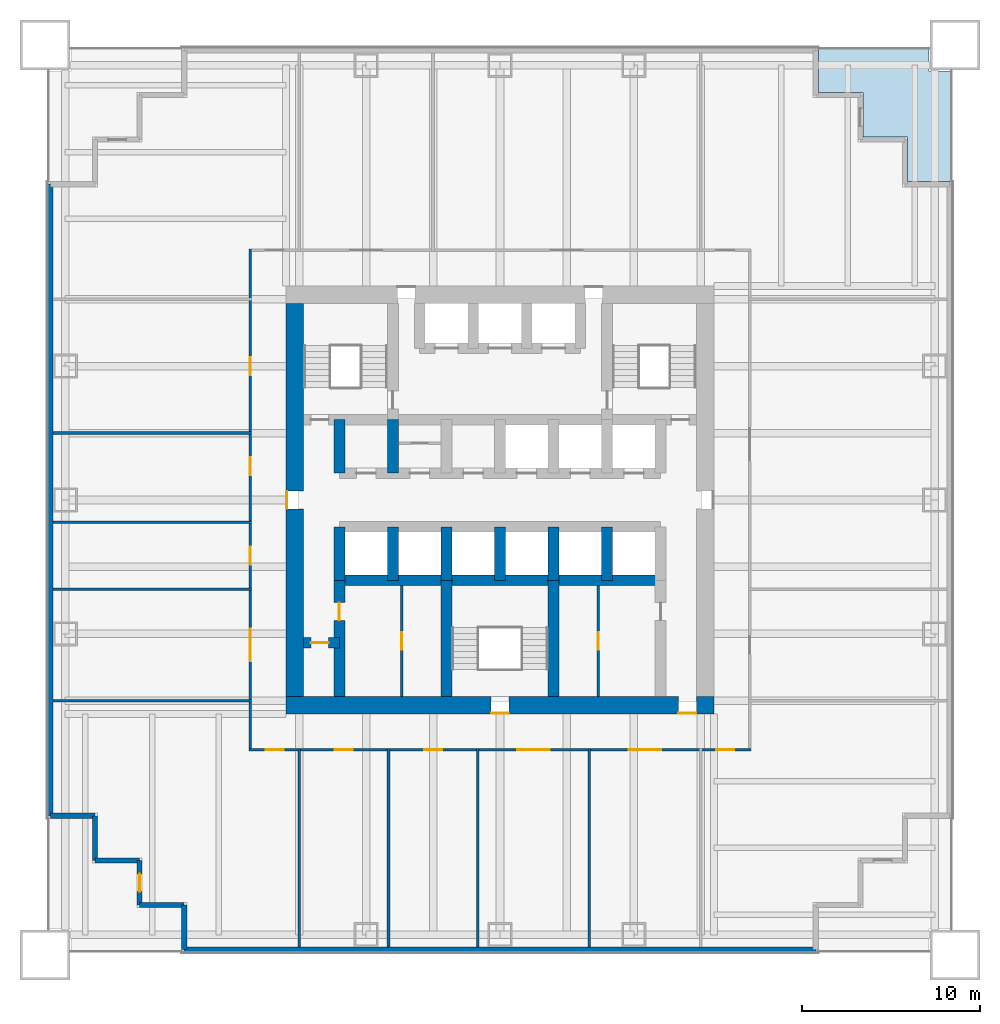
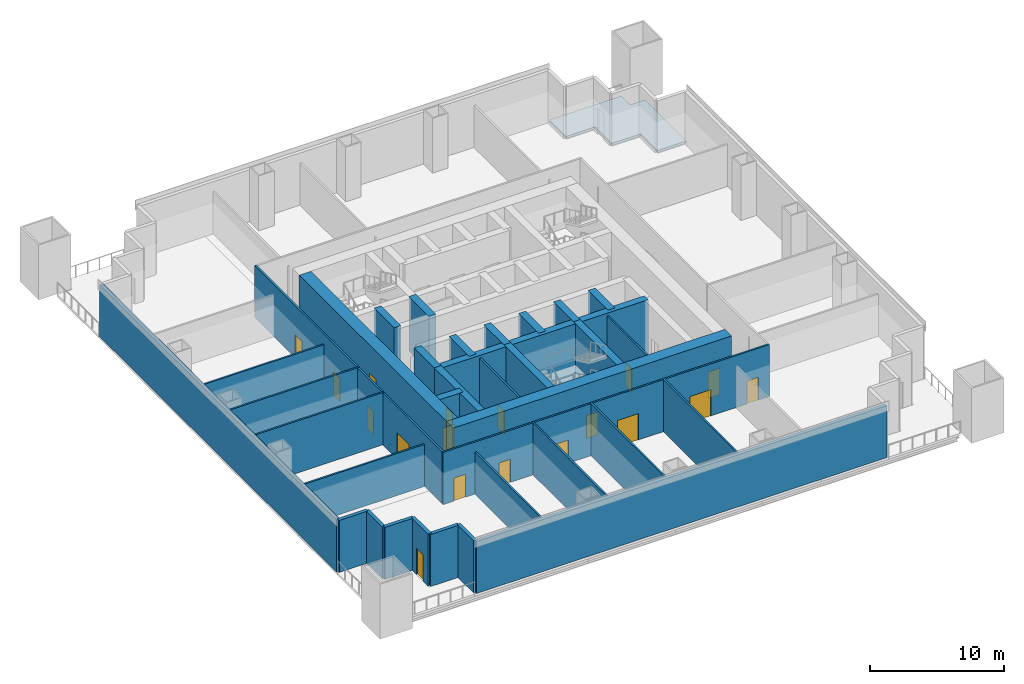
# One storey, part 2 of 6: 35 walls, 18 doors, 1 slab, 18 openings.
"""IFC4 building model written with IfcOpenShell, lengths in metres."""

from ifc_helpers import new_model, si_unit, direction, frame, frame_2d, origin, place, context, subcontext, project, spatial, polyline, rectangle, outline, extrude, material, layer, layer_set, type_object, element, fill, save


model = new_model("IFC4")

# Units and contexts
model_context = context("Model", 3, precision=1e-05, world=origin(), true_north=direction((0.0, 1.0)))
body_context = subcontext(model_context, "Body", "Model", "MODEL_VIEW")
ifc_project = project(units=[si_unit("LENGTHUNIT", "METRE"), si_unit("AREAUNIT", "SQUARE_METRE"), si_unit("VOLUMEUNIT", "CUBIC_METRE"), si_unit("PLANEANGLEUNIT", "RADIAN"), si_unit("MASSUNIT", "GRAM", prefix="KILO")], contexts=[model_context])

# Site, building, storey
site_placement = place(None, origin())
site = spatial("IfcSite", under=ifc_project, at=site_placement, CompositionType="ELEMENT")
building_placement = place(site_placement, origin())
building = spatial("IfcBuilding", under=site, at=building_placement, Name="Tarangal Relay Tower", CompositionType="ELEMENT")
storey_placement = place(building_placement, frame((0.0, 0.0, 93.39990234375)))
storey = spatial("IfcBuildingStorey", under=building, at=storey_placement, Name="L18", CompositionType="ELEMENT", Elevation=93.39990234375)

# Slab
ifc_material_1 = material(Name="Concrete fc' 35 MPa", Category="concrete")
ifc_layer_1 = layer(ifc_material_1, 0.199951171875)
ifc_layer_set_1 = layer_set([ifc_layer_1], Name="Terrace slab 200")
slab_type = type_object("IfcSlabType", Name="Terrace slab 200", PredefinedType="FLOOR", material=ifc_layer_set_1)
slab_placement = place(storey_placement, frame((0.0, 0.0, -0.199951171875)))
element("IfcSlab", 1, at=slab_placement, inside=storey, type_object=slab_type, Name="Corner terrace NE L18", PredefinedType="FLOOR", context=body_context, shape_type="SweptSolid", body=[
    extrude(outline(polyline([(17.85009765625, 25.35009765625), (17.85009765625, 22.85009765625), (20.35009765625, 22.85009765625), (20.35009765625, 20.35009765625), (22.85009765625, 20.35009765625), (22.85009765625, 17.85009765625), (25.35009765625, 17.85009765625), (25.35009765625, 24.050048828125), (24.050048828125, 24.050048828125), (24.050048828125, 25.35009765625), (17.85009765625, 25.35009765625)])), origin(), (0.0, 0.0, 1.0), 0.199951171875),
])

# Wall
ifc_material_2 = material(Name="Concrete fc' 60 MPa", Category="concrete")
ifc_layer_2 = layer(ifc_material_2, 0.60009765625)
ifc_layer_set_2 = layer_set([ifc_layer_2], Name="Core inner wall 600")
wall_type_1 = type_object("IfcWallType", Name="Core inner wall 600", PredefinedType="SHEAR", material=ifc_layer_set_2)
wall_1_placement = place(storey_placement, frame((-9.0, -4.5, 0.0), z_axis=(0.0, 0.0, 1.0), x_axis=(1.0, 0.0, 0.0)))
element("IfcWall", 2, at=wall_1_placement, inside=storey, type_object=wall_type_1, Name="Core wall YM45 L18", PredefinedType="SHEAR", context=body_context, shape_type="SweptSolid", body=[
    extrude(rectangle(XDim=18.0, YDim=0.60009765625, at=frame_2d((9.0, 0.0))), origin(), (0.0, 0.0, 1.0), 5.0),
])

# Wall, opening, door
wall_2_placement = place(storey_placement, frame((-11.0, -8.0, 0.0), z_axis=(0.0, 0.0, 1.0), x_axis=(1.0, 0.0, 0.0)))
wall_2 = element("IfcWall", 3, at=wall_2_placement, inside=storey, type_object=wall_type_1, Name="Core wall YM8 L18", PredefinedType="SHEAR", context=body_context, shape_type="SweptSolid", body=[
    extrude(rectangle(XDim=2.0, YDim=0.60009765625, at=frame_2d((1.0, 0.0))), origin(), (0.0, 0.0, 1.0), 5.0),
])
opening_1_placement = place(wall_2_placement, frame((0.39990234375, 0.0, 0.0)))
opening_1 = element("IfcOpeningElement", 4, at=opening_1_placement, cuts=wall_2, Name="Opening D1", PredefinedType="OPENING", context=body_context, shape_type="SweptSolid", body=[
    extrude(rectangle(XDim=1.0, YDim=2.10009765625, at=frame_2d((0.5, 1.050048828125))), frame((0.0, 0.31005859375, 0.0), z_axis=(0.0, -1.0, 0.0), x_axis=(1.0, 0.0, 0.0)), (0.0, 0.0, 1.0), 0.6201171875),
])
ifc_material_3 = material(Name="Hardwood door", Category="wood")
door_type_1 = type_object("IfcDoorType", Name="WC door 1000 x 2100", OperationType="SINGLE_SWING_LEFT", PredefinedType="DOOR", material=ifc_material_3)
door_1_placement = place(opening_1_placement, origin())
door_1 = element("IfcDoor", 5, at=door_1_placement, inside=storey, type_object=door_type_1, Name="Accessible WC door L18", OperationType="SINGLE_SWING_LEFT", OverallHeight=2.10009765625, OverallWidth=1.0, PredefinedType="DOOR", context=body_context, shape_type="SweptSolid", body=[
    extrude(rectangle(XDim=1.0, YDim=2.10009765625, at=frame_2d((0.5, 1.050048828125))), frame((0.0, 0.02490234375, 0.0), z_axis=(0.0, -1.0, 0.0), x_axis=(1.0, 0.0, 0.0)), (0.0, 0.0, 1.0), 0.050048828125),
])
fill(opening_1, door_1)

# Walls
for number, where, z_axis, x_axis, name in (
    (6, (-9.0, 1.5, 0.0), (0.0, 0.0, 1.0), (0.0, 1.0, 0.0), "Core wall XM9N L18"),
    (7, (-9.0, -4.5, 0.0), (0.0, 0.0, 1.0), (0.0, 1.0, 0.0), "Core wall XM9S L18"),
    (8, (-6.0, 1.5, 0.0), (0.0, 0.0, 1.0), (0.0, 1.0, 0.0), "Core wall XM6N L18"),
    (9, (-6.0, -4.5, 0.0), (0.0, 0.0, 1.0), (0.0, 1.0, 0.0), "Core wall XM6S L18"),
    (10, (-3.0, -4.5, 0.0), (0.0, 0.0, 1.0), (0.0, 1.0, 0.0), "Core wall XM3S L18"),
    (11, (0.0, -4.5, 0.0), (0.0, 0.0, 1.0), (0.0, 1.0, 0.0), "Core wall X0S L18"),
    (12, (3.0, -4.5, 0.0), (0.0, 0.0, 1.0), (0.0, 1.0, 0.0), "Core wall X3S L18"),
    (13, (6.0, -4.5, 0.0), (0.0, 0.0, 1.0), (0.0, 1.0, 0.0), "Core wall X6S L18"),
):
    element("IfcWall", number, at=place(storey_placement, frame(where, z_axis=z_axis, x_axis=x_axis)), inside=storey, type_object=wall_type_1, Name=name, PredefinedType="SHEAR", context=body_context, shape_type="SweptSolid", body=[
        extrude(rectangle(XDim=3.0, YDim=0.60009765625, at=frame_2d((1.5, 0.0))), origin(), (0.0, 0.0, 1.0), 5.0),
    ])

# Wall, opening, door
wall_3_placement = place(storey_placement, frame((-9.0, -11.0, 0.0), z_axis=(0.0, 0.0, 1.0), x_axis=(0.0, 1.0, 0.0)))
wall_3 = element("IfcWall", 14, at=wall_3_placement, inside=storey, type_object=wall_type_1, Name="Core wall XM9W L18", PredefinedType="SHEAR", context=body_context, shape_type="SweptSolid", body=[
    extrude(rectangle(XDim=6.5, YDim=0.60009765625, at=frame_2d((3.25, 0.0))), origin(), (0.0, 0.0, 1.0), 5.0),
])
opening_2_placement = place(wall_3_placement, frame((4.25, 0.0, 0.0)))
opening_2 = element("IfcOpeningElement", 15, at=opening_2_placement, cuts=wall_3, Name="Opening D1", PredefinedType="OPENING", context=body_context, shape_type="SweptSolid", body=[
    extrude(rectangle(XDim=1.0, YDim=2.10009765625, at=frame_2d((0.5, 1.050048828125))), frame((0.0, 0.31005859375, 0.0), z_axis=(0.0, -1.0, 0.0), x_axis=(1.0, 0.0, 0.0)), (0.0, 0.0, 1.0), 0.6201171875),
])
door_2_placement = place(opening_2_placement, origin())
door_2 = element("IfcDoor", 16, at=door_2_placement, inside=storey, type_object=door_type_1, Name="Male WC door L18", OperationType="SINGLE_SWING_LEFT", OverallHeight=2.10009765625, OverallWidth=1.0, PredefinedType="DOOR", context=body_context, shape_type="SweptSolid", body=[
    extrude(rectangle(XDim=1.0, YDim=2.10009765625, at=frame_2d((0.5, 1.050048828125))), frame((0.0, 0.02490234375, 0.0), z_axis=(0.0, -1.0, 0.0), x_axis=(1.0, 0.0, 0.0)), (0.0, 0.0, 1.0), 0.050048828125),
])
fill(opening_2, door_2)

# Walls
for number, where, z_axis, x_axis, name in (
    (17, (-3.0, -11.0, 0.0), (0.0, 0.0, 1.0), (0.0, 1.0, 0.0), "Core wall XM3W L18"),
    (18, (3.0, -11.0, 0.0), (0.0, 0.0, 1.0), (0.0, 1.0, 0.0), "Core wall X3W L18"),
):
    element("IfcWall", number, at=place(storey_placement, frame(where, z_axis=z_axis, x_axis=x_axis)), inside=storey, type_object=wall_type_1, Name=name, PredefinedType="SHEAR", context=body_context, shape_type="SweptSolid", body=[
        extrude(rectangle(XDim=6.5, YDim=0.60009765625, at=frame_2d((3.25, 0.0))), origin(), (0.0, 0.0, 1.0), 5.0),
    ])

# Wall, openings, doors
ifc_layer_3 = layer(ifc_material_2, 1.0)
ifc_layer_set_3 = layer_set([ifc_layer_3], Name="Core wall 1000")
wall_type_2 = type_object("IfcWallType", Name="Core wall 1000", PredefinedType="SHEAR", material=ifc_layer_set_3)
wall_4_placement = place(storey_placement, frame((12.0, -11.5, 0.0), z_axis=(0.0, 0.0, 1.0), x_axis=(-1.0, 0.0, 0.0)))
wall_4 = element("IfcWall", 19, at=wall_4_placement, inside=storey, type_object=wall_type_2, Name="Core wall S L18", PredefinedType="SHEAR", context=body_context, shape_type="SweptSolid", body=[
    extrude(rectangle(XDim=24.0, YDim=1.0, at=frame_2d((12.0, 0.0))), origin(), (0.0, 0.0, 1.0), 5.0),
])
opening_3_placement = place(wall_4_placement, frame((11.5, 0.0, 0.0)))
opening_3 = element("IfcOpeningElement", 20, at=opening_3_placement, cuts=wall_4, Name="Opening FD1", PredefinedType="OPENING", context=body_context, shape_type="SweptSolid", body=[
    extrude(rectangle(XDim=1.0, YDim=2.10009765625, at=frame_2d((0.5, 1.050048828125))), frame((0.0, 0.510009765625, 0.0), z_axis=(0.0, -1.0, 0.0), x_axis=(1.0, 0.0, 0.0)), (0.0, 0.0, 1.0), 1.02001953125),
])
opening_4_placement = place(wall_4_placement, frame((1.0, 0.0, 0.0)))
opening_4 = element("IfcOpeningElement", 21, at=opening_4_placement, cuts=wall_4, Name="Opening FD3", PredefinedType="OPENING", context=body_context, shape_type="SweptSolid", body=[
    extrude(rectangle(XDim=1.0, YDim=2.39990234375, at=frame_2d((0.5, 1.199951171875))), frame((0.0, 0.510009765625, 0.0), z_axis=(0.0, -1.0, 0.0), x_axis=(1.0, 0.0, 0.0)), (0.0, 0.0, 1.0), 1.02001953125),
])
ifc_material_4 = material(Name="Steel door with hardwood frame", Category="steel")
door_type_2 = type_object("IfcDoorType", Name="Fire door 1000 x 2100", OperationType="SINGLE_SWING_LEFT", PredefinedType="DOOR", material=ifc_material_4)
door_3_placement = place(opening_3_placement, origin())
door_3 = element("IfcDoor", 22, at=door_3_placement, inside=storey, type_object=door_type_2, Name="Stair ST-C door L18", OperationType="SINGLE_SWING_LEFT", OverallHeight=2.10009765625, OverallWidth=1.0, PredefinedType="DOOR", context=body_context, shape_type="SweptSolid", body=[
    extrude(rectangle(XDim=1.0, YDim=2.10009765625, at=frame_2d((0.5, 1.050048828125))), frame((0.0, 0.48486328125, 0.0), z_axis=(0.0, -1.0, 0.0), x_axis=(1.0, 0.0, 0.0)), (0.0, 0.0, 1.0), 0.050048828125),
])
fill(opening_3, door_3)
door_type_3 = type_object("IfcDoorType", Name="Fire door 1000 x 2400 core entry", OperationType="SINGLE_SWING_RIGHT", PredefinedType="DOOR", material=ifc_material_4)
door_4_placement = place(opening_4_placement, origin())
door_4 = element("IfcDoor", 23, at=door_4_placement, inside=storey, type_object=door_type_3, Name="Core entry door south east L18", OperationType="SINGLE_SWING_RIGHT", OverallHeight=2.39990234375, OverallWidth=1.0, PredefinedType="DOOR", context=body_context, shape_type="SweptSolid", body=[
    extrude(rectangle(XDim=1.0, YDim=2.39990234375, at=frame_2d((0.5, 1.199951171875))), frame((0.0, 0.48486328125, 0.0), z_axis=(0.0, -1.0, 0.0), x_axis=(1.0, 0.0, 0.0)), (0.0, 0.0, 1.0), 0.050048828125),
])
fill(opening_4, door_4)

# Wall, opening, door
wall_5_placement = place(storey_placement, frame((-11.5, -11.0, 0.0), z_axis=(0.0, 0.0, 1.0), x_axis=(0.0, 1.0, 0.0)))
wall_5 = element("IfcWall", 24, at=wall_5_placement, inside=storey, type_object=wall_type_2, Name="Core wall W L18", PredefinedType="SHEAR", context=body_context, shape_type="SweptSolid", body=[
    extrude(rectangle(XDim=22.0, YDim=1.0, at=frame_2d((11.0, 0.0))), origin(), (0.0, 0.0, 1.0), 5.0),
])
opening_5_placement = place(wall_5_placement, frame((10.5, 0.0, 0.0)))
opening_5 = element("IfcOpeningElement", 25, at=opening_5_placement, cuts=wall_5, Name="Opening FD3", PredefinedType="OPENING", context=body_context, shape_type="SweptSolid", body=[
    extrude(rectangle(XDim=1.0, YDim=2.39990234375, at=frame_2d((0.5, 1.199951171875))), frame((0.0, 0.510009765625, 0.0), z_axis=(0.0, -1.0, 0.0), x_axis=(1.0, 0.0, 0.0)), (0.0, 0.0, 1.0), 1.02001953125),
])
door_5_placement = place(opening_5_placement, origin())
door_5 = element("IfcDoor", 26, at=door_5_placement, inside=storey, type_object=door_type_3, Name="Core entry door west L18", OperationType="SINGLE_SWING_RIGHT", OverallHeight=2.39990234375, OverallWidth=1.0, PredefinedType="DOOR", context=body_context, shape_type="SweptSolid", body=[
    extrude(rectangle(XDim=1.0, YDim=2.39990234375, at=frame_2d((0.5, 1.199951171875))), frame((0.0, 0.48486328125, 0.0), z_axis=(0.0, -1.0, 0.0), x_axis=(1.0, 0.0, 0.0)), (0.0, 0.0, 1.0), 0.050048828125),
])
fill(opening_5, door_5)

# Walls
ifc_material_5 = material(Name="Insulated precast concrete fc' 40 MPa", Category="concrete")
ifc_layer_4 = layer(ifc_material_5, 0.300048828125)
ifc_layer_set_4 = layer_set([ifc_layer_4], Name="Insulated precast concrete fc' 40 MPa")
wall_type_3 = type_object("IfcWallType", Name="Facade wall precast 300", PredefinedType="SOLIDWALL", material=ifc_layer_set_4)
wall_6_placement = place(storey_placement, frame((17.699951171875, -25.199951171875, 0.0), z_axis=(0.0, 0.0, 1.0), x_axis=(-1.0, 0.0, 0.0)))
element("IfcWall", 27, at=wall_6_placement, inside=storey, type_object=wall_type_3, Name="Facade wall S facade L18", PredefinedType="SOLIDWALL", context=body_context, shape_type="SweptSolid", body=[
    extrude(rectangle(XDim=35.39990234375, YDim=0.300048828125, at=frame_2d((17.699951171875, 0.0))), origin(), (0.0, 0.0, 1.0), 4.75),
])
for number, where, z_axis, x_axis, name in (
    (28, (-17.699951171875, -25.199951171875, 0.0), (0.0, 0.0, 1.0), (0.0, 1.0, 0.0), "Facade wall S facade L18"),
    (29, (-17.699951171875, -22.699951171875, 0.0), (0.0, 0.0, 1.0), (-1.0, 0.0, 0.0), "Facade wall S facade L18"),
):
    element("IfcWall", number, at=place(storey_placement, frame(where, z_axis=z_axis, x_axis=x_axis)), inside=storey, type_object=wall_type_3, Name=name, PredefinedType="SOLIDWALL", context=body_context, shape_type="SweptSolid", body=[
        extrude(rectangle(XDim=2.5, YDim=0.300048828125, at=frame_2d((1.25, 0.0))), origin(), (0.0, 0.0, 1.0), 4.75),
    ])

# Wall, opening, door
wall_7_placement = place(storey_placement, frame((-20.199951171875, -22.699951171875, 0.0), z_axis=(0.0, 0.0, 1.0), x_axis=(0.0, 1.0, 0.0)))
wall_7 = element("IfcWall", 30, at=wall_7_placement, inside=storey, type_object=wall_type_3, Name="Facade wall S facade L18", PredefinedType="SOLIDWALL", context=body_context, shape_type="SweptSolid", body=[
    extrude(rectangle(XDim=2.5, YDim=0.300048828125, at=frame_2d((1.25, 0.0))), origin(), (0.0, 0.0, 1.0), 4.75),
])
opening_6_placement = place(wall_7_placement, frame((0.75, 0.0, 0.0)))
opening_6 = element("IfcOpeningElement", 31, at=opening_6_placement, cuts=wall_7, Name="Opening TD1", PredefinedType="OPENING", context=body_context, shape_type="SweptSolid", body=[
    extrude(rectangle(XDim=1.0, YDim=2.39990234375, at=frame_2d((0.5, 1.199951171875))), frame((0.0, 0.159912109375, 0.0), z_axis=(0.0, -1.0, 0.0), x_axis=(1.0, 0.0, 0.0)), (0.0, 0.0, 1.0), 0.320068359375),
])
ifc_material_6 = material(Name="Aluminium glazed door", Category="aluminium")
door_type_4 = type_object("IfcDoorType", Name="Terrace door 1000 x 2400", OperationType="SINGLE_SWING_RIGHT", PredefinedType="DOOR", material=ifc_material_6)
door_6_placement = place(opening_6_placement, origin())
door_6 = element("IfcDoor", 32, at=door_6_placement, inside=storey, type_object=door_type_4, Name="Terrace door TD1 SW L18", OperationType="SINGLE_SWING_RIGHT", OverallHeight=2.39990234375, OverallWidth=1.0, PredefinedType="DOOR", context=body_context, shape_type="SweptSolid", body=[
    extrude(rectangle(XDim=1.0, YDim=2.39990234375, at=frame_2d((0.5, 1.199951171875))), frame((0.0, 0.02490234375, 0.0), z_axis=(0.0, -1.0, 0.0), x_axis=(1.0, 0.0, 0.0)), (0.0, 0.0, 1.0), 0.050048828125),
])
fill(opening_6, door_6)

# Walls
for number, where, z_axis, x_axis, name in (
    (33, (-20.199951171875, -20.199951171875, 0.0), (0.0, 0.0, 1.0), (-1.0, 0.0, 0.0), "Facade wall S facade L18"),
    (34, (-22.699951171875, -20.199951171875, 0.0), (0.0, 0.0, 1.0), (0.0, 1.0, 0.0), "Facade wall S facade L18"),
    (35, (-22.699951171875, -17.699951171875, 0.0), (0.0, 0.0, 1.0), (-1.0, 0.0, 0.0), "Facade wall S facade L18"),
):
    element("IfcWall", number, at=place(storey_placement, frame(where, z_axis=z_axis, x_axis=x_axis)), inside=storey, type_object=wall_type_3, Name=name, PredefinedType="SOLIDWALL", context=body_context, shape_type="SweptSolid", body=[
        extrude(rectangle(XDim=2.5, YDim=0.300048828125, at=frame_2d((1.25, 0.0))), origin(), (0.0, 0.0, 1.0), 4.75),
    ])
wall_8_placement = place(storey_placement, frame((-25.199951171875, -17.699951171875, 0.0), z_axis=(0.0, 0.0, 1.0), x_axis=(0.0, 1.0, 0.0)))
element("IfcWall", 36, at=wall_8_placement, inside=storey, type_object=wall_type_3, Name="Facade wall W facade L18", PredefinedType="SOLIDWALL", context=body_context, shape_type="SweptSolid", body=[
    extrude(rectangle(XDim=35.39990234375, YDim=0.300048828125, at=frame_2d((17.699951171875, 0.0))), origin(), (0.0, 0.0, 1.0), 4.75),
])

# Wall, openings, doors
ifc_material_7 = material(Name="Gypsum board on steel studs", Category="steel")
ifc_layer_5 = layer(ifc_material_7, 0.14990234375)
ifc_layer_set_5 = layer_set([ifc_layer_5], Name="Partition 150")
wall_type_4 = type_object("IfcWallType", Name="Partition 150", PredefinedType="PARTITIONING", material=ifc_layer_set_5)
wall_9_placement = place(storey_placement, frame((-14.074951171875, -14.0, 0.0), z_axis=(0.0, 0.0, 1.0), x_axis=(1.0, 0.0, 0.0)))
wall_9 = element("IfcWall", 37, at=wall_9_placement, inside=storey, type_object=wall_type_4, Name="Partition PT1 L18", PredefinedType="PARTITIONING", context=body_context, shape_type="SweptSolid", body=[
    extrude(rectangle(XDim=28.14990234375, YDim=0.14990234375, at=frame_2d((14.074951171875, 0.0))), origin(), (0.0, 0.0, 1.0), 4.75),
])
opening_7_placement = place(wall_9_placement, frame((21.300048828125, 0.0, 0.0)))
opening_7 = element("IfcOpeningElement", 38, at=opening_7_placement, cuts=wall_9, Name="Opening DD1", PredefinedType="OPENING", context=body_context, shape_type="SweptSolid", body=[
    extrude(rectangle(XDim=1.800048828125, YDim=2.39990234375, at=frame_2d((0.89990234375, 1.199951171875))), frame((0.0, 0.0849609375, 0.0), z_axis=(0.0, -1.0, 0.0), x_axis=(1.0, 0.0, 0.0)), (0.0, 0.0, 1.0), 0.169921875),
])
opening_8_placement = place(wall_9_placement, frame((15.050048828125, 0.0, 0.0)))
opening_8 = element("IfcOpeningElement", 39, at=opening_8_placement, cuts=wall_9, Name="Opening DD1", PredefinedType="OPENING", context=body_context, shape_type="SweptSolid", body=[
    extrude(rectangle(XDim=1.800048828125, YDim=2.39990234375, at=frame_2d((0.89990234375, 1.199951171875))), frame((0.0, 0.0849609375, 0.0), z_axis=(0.0, -1.0, 0.0), x_axis=(1.0, 0.0, 0.0)), (0.0, 0.0, 1.0), 0.169921875),
])
opening_9_placement = place(wall_9_placement, frame((9.824951171875, 0.0, 0.0)))
opening_9 = element("IfcOpeningElement", 40, at=opening_9_placement, cuts=wall_9, Name="Opening D2", PredefinedType="OPENING", context=body_context, shape_type="SweptSolid", body=[
    extrude(rectangle(XDim=1.0, YDim=2.10009765625, at=frame_2d((0.5, 1.050048828125))), frame((0.0, 0.0849609375, 0.0), z_axis=(0.0, -1.0, 0.0), x_axis=(1.0, 0.0, 0.0)), (0.0, 0.0, 1.0), 0.169921875),
])
opening_10_placement = place(wall_9_placement, frame((4.824951171875, 0.0, 0.0)))
opening_10 = element("IfcOpeningElement", 41, at=opening_10_placement, cuts=wall_9, Name="Opening D2", PredefinedType="OPENING", context=body_context, shape_type="SweptSolid", body=[
    extrude(rectangle(XDim=1.0, YDim=2.10009765625, at=frame_2d((0.5, 1.050048828125))), frame((0.0, 0.0849609375, 0.0), z_axis=(0.0, -1.0, 0.0), x_axis=(1.0, 0.0, 0.0)), (0.0, 0.0, 1.0), 0.169921875),
])
opening_11_placement = place(wall_9_placement, frame((26.199951171875, 0.0, 0.0)))
opening_11 = element("IfcOpeningElement", 42, at=opening_11_placement, cuts=wall_9, Name="Opening D2", PredefinedType="OPENING", context=body_context, shape_type="SweptSolid", body=[
    extrude(rectangle(XDim=1.0, YDim=2.10009765625, at=frame_2d((0.5, 1.050048828125))), frame((0.0, 0.0849609375, 0.0), z_axis=(0.0, -1.0, 0.0), x_axis=(1.0, 0.0, 0.0)), (0.0, 0.0, 1.0), 0.169921875),
])
opening_12_placement = place(wall_9_placement, frame((0.949951171875, 0.0, 0.0)))
opening_12 = element("IfcOpeningElement", 43, at=opening_12_placement, cuts=wall_9, Name="Opening D2", PredefinedType="OPENING", context=body_context, shape_type="SweptSolid", body=[
    extrude(rectangle(XDim=1.0, YDim=2.10009765625, at=frame_2d((0.5, 1.050048828125))), frame((0.0, 0.0849609375, 0.0), z_axis=(0.0, -1.0, 0.0), x_axis=(1.0, 0.0, 0.0)), (0.0, 0.0, 1.0), 0.169921875),
])
door_type_5 = type_object("IfcDoorType", Name="Door 1000 x 2100", OperationType="SINGLE_SWING_LEFT", PredefinedType="DOOR", material=ifc_material_3)
door_7_placement = place(opening_9_placement, origin())
door_7 = element("IfcDoor", 44, at=door_7_placement, inside=storey, type_object=door_type_5, Name="Door D2 to engineering office L18-08", OperationType="SINGLE_SWING_LEFT", OverallHeight=2.10009765625, OverallWidth=1.0, PredefinedType="DOOR", context=body_context, shape_type="SweptSolid", body=[
    extrude(rectangle(XDim=1.0, YDim=2.10009765625, at=frame_2d((0.5, 1.050048828125))), frame((0.0, 0.02490234375, 0.0), z_axis=(0.0, -1.0, 0.0), x_axis=(1.0, 0.0, 0.0)), (0.0, 0.0, 1.0), 0.050048828125),
])
fill(opening_9, door_7)
door_8_placement = place(opening_10_placement, origin())
door_8 = element("IfcDoor", 45, at=door_8_placement, inside=storey, type_object=door_type_5, Name="Door D2 to customer interview room L18-09", OperationType="SINGLE_SWING_LEFT", OverallHeight=2.10009765625, OverallWidth=1.0, PredefinedType="DOOR", context=body_context, shape_type="SweptSolid", body=[
    extrude(rectangle(XDim=1.0, YDim=2.10009765625, at=frame_2d((0.5, 1.050048828125))), frame((0.0, 0.02490234375, 0.0), z_axis=(0.0, -1.0, 0.0), x_axis=(1.0, 0.0, 0.0)), (0.0, 0.0, 1.0), 0.050048828125),
])
fill(opening_10, door_8)
door_9_placement = place(opening_11_placement, origin())
door_9 = element("IfcDoor", 46, at=door_9_placement, inside=storey, type_object=door_type_5, Name="Door D2 to maintenance workshop L18-15", OperationType="SINGLE_SWING_LEFT", OverallHeight=2.10009765625, OverallWidth=1.0, PredefinedType="DOOR", context=body_context, shape_type="SweptSolid", body=[
    extrude(rectangle(XDim=1.0, YDim=2.10009765625, at=frame_2d((0.5, 1.050048828125))), frame((0.0, 0.02490234375, 0.0), z_axis=(0.0, -1.0, 0.0), x_axis=(1.0, 0.0, 0.0)), (0.0, 0.0, 1.0), 0.050048828125),
])
fill(opening_11, door_9)
door_10_placement = place(opening_12_placement, origin())
door_10 = element("IfcDoor", 47, at=door_10_placement, inside=storey, type_object=door_type_5, Name="Door D2 to security office L18-16", OperationType="SINGLE_SWING_LEFT", OverallHeight=2.10009765625, OverallWidth=1.0, PredefinedType="DOOR", context=body_context, shape_type="SweptSolid", body=[
    extrude(rectangle(XDim=1.0, YDim=2.10009765625, at=frame_2d((0.5, 1.050048828125))), frame((0.0, 0.02490234375, 0.0), z_axis=(0.0, -1.0, 0.0), x_axis=(1.0, 0.0, 0.0)), (0.0, 0.0, 1.0), 0.050048828125),
])
fill(opening_12, door_10)
door_type_6 = type_object("IfcDoorType", Name="Equipment double door 1800 x 2400", OperationType="DOUBLE_DOOR_SINGLE_SWING", PredefinedType="DOOR", material=ifc_material_4)
door_11_placement = place(opening_7_placement, origin())
door_11 = element("IfcDoor", 48, at=door_11_placement, inside=storey, type_object=door_type_6, Name="Door DD1 to electrical room L18-06", OperationType="DOUBLE_DOOR_SINGLE_SWING", OverallHeight=2.39990234375, OverallWidth=1.800048828125, PredefinedType="DOOR", context=body_context, shape_type="SweptSolid", body=[
    extrude(rectangle(XDim=1.800048828125, YDim=2.39990234375, at=frame_2d((0.89990234375, 1.199951171875))), frame((0.0, 0.02490234375, 0.0), z_axis=(0.0, -1.0, 0.0), x_axis=(1.0, 0.0, 0.0)), (0.0, 0.0, 1.0), 0.050048828125),
])
fill(opening_7, door_11)
door_12_placement = place(opening_8_placement, origin())
door_12 = element("IfcDoor", 49, at=door_12_placement, inside=storey, type_object=door_type_6, Name="Door DD1 to network equipment room L18-07", OperationType="DOUBLE_DOOR_SINGLE_SWING", OverallHeight=2.39990234375, OverallWidth=1.800048828125, PredefinedType="DOOR", context=body_context, shape_type="SweptSolid", body=[
    extrude(rectangle(XDim=1.800048828125, YDim=2.39990234375, at=frame_2d((0.89990234375, 1.199951171875))), frame((0.0, 0.02490234375, 0.0), z_axis=(0.0, -1.0, 0.0), x_axis=(1.0, 0.0, 0.0)), (0.0, 0.0, 1.0), 0.050048828125),
])
fill(opening_8, door_12)

# Walls
wall_10_placement = place(storey_placement, frame((-25.050048828125, -11.25, 0.0), z_axis=(0.0, 0.0, 1.0), x_axis=(1.0, 0.0, 0.0)))
element("IfcWall", 50, at=wall_10_placement, inside=storey, type_object=wall_type_4, Name="Partition PT1 L18", PredefinedType="PARTITIONING", context=body_context, shape_type="SweptSolid", body=[
    extrude(rectangle(XDim=11.125, YDim=0.14990234375, at=frame_2d((5.5625, 0.0))), origin(), (0.0, 0.0, 1.0), 3.822998046875),
])
for number, where, z_axis, x_axis, name in (
    (51, (-25.050048828125, -5.0, 0.0), (0.0, 0.0, 1.0), (1.0, 0.0, 0.0), "Partition PT1 L18"),
    (52, (-25.050048828125, -1.25, 0.0), (0.0, 0.0, 1.0), (1.0, 0.0, 0.0), "Partition PT1 L18"),
):
    element("IfcWall", number, at=place(storey_placement, frame(where, z_axis=z_axis, x_axis=x_axis)), inside=storey, type_object=wall_type_4, Name=name, PredefinedType="PARTITIONING", context=body_context, shape_type="SweptSolid", body=[
        extrude(rectangle(XDim=11.125, YDim=0.14990234375, at=frame_2d((5.5625, 0.0))), origin(), (0.0, 0.0, 1.0), 4.75),
    ])
wall_11_placement = place(storey_placement, frame((-25.050048828125, 3.75, 0.0), z_axis=(0.0, 0.0, 1.0), x_axis=(1.0, 0.0, 0.0)))
element("IfcWall", 53, at=wall_11_placement, inside=storey, type_object=wall_type_4, Name="Partition PT1 L18", PredefinedType="PARTITIONING", context=body_context, shape_type="SweptSolid", body=[
    extrude(rectangle(XDim=11.125, YDim=0.14990234375, at=frame_2d((5.5625, 0.0))), origin(), (0.0, 0.0, 1.0), 3.822998046875),
])

# Wall, openings, doors
wall_12_placement = place(storey_placement, frame((-14.0, -14.074951171875, 0.0), z_axis=(0.0, 0.0, 1.0), x_axis=(0.0, 1.0, 0.0)))
wall_12 = element("IfcWall", 54, at=wall_12_placement, inside=storey, type_object=wall_type_4, Name="Partition PT1 L18", PredefinedType="PARTITIONING", context=body_context, shape_type="SweptSolid", body=[
    extrude(rectangle(XDim=28.14990234375, YDim=0.14990234375, at=frame_2d((14.074951171875, 0.0))), origin(), (0.0, 0.0, 1.0), 4.75),
])
opening_13_placement = place(wall_12_placement, frame((5.050048828125, 0.0, 0.0)))
opening_13 = element("IfcOpeningElement", 55, at=opening_13_placement, cuts=wall_12, Name="Opening DD1", PredefinedType="OPENING", context=body_context, shape_type="SweptSolid", body=[
    extrude(rectangle(XDim=1.800048828125, YDim=2.39990234375, at=frame_2d((0.89990234375, 1.199951171875))), frame((0.0, 0.0849609375, 0.0), z_axis=(0.0, -1.0, 0.0), x_axis=(1.0, 0.0, 0.0)), (0.0, 0.0, 1.0), 0.169921875),
])
opening_14_placement = place(wall_12_placement, frame((10.449951171875, 0.0, 0.0)))
opening_14 = element("IfcOpeningElement", 56, at=opening_14_placement, cuts=wall_12, Name="Opening D2", PredefinedType="OPENING", context=body_context, shape_type="SweptSolid", body=[
    extrude(rectangle(XDim=1.0, YDim=2.10009765625, at=frame_2d((0.5, 1.050048828125))), frame((0.0, 0.0849609375, 0.0), z_axis=(0.0, -1.0, 0.0), x_axis=(1.0, 0.0, 0.0)), (0.0, 0.0, 1.0), 0.169921875),
])
opening_15_placement = place(wall_12_placement, frame((15.465087890625, 0.0, 0.0)))
opening_15 = element("IfcOpeningElement", 57, at=opening_15_placement, cuts=wall_12, Name="Opening D2", PredefinedType="OPENING", context=body_context, shape_type="SweptSolid", body=[
    extrude(rectangle(XDim=1.0, YDim=2.10009765625, at=frame_2d((0.5, 1.050048828125))), frame((0.0, 0.0849609375, 0.0), z_axis=(0.0, -1.0, 0.0), x_axis=(1.0, 0.0, 0.0)), (0.0, 0.0, 1.0), 0.169921875),
])
opening_16_placement = place(wall_12_placement, frame((21.074951171875, 0.0, 0.0)))
opening_16 = element("IfcOpeningElement", 58, at=opening_16_placement, cuts=wall_12, Name="Opening D2", PredefinedType="OPENING", context=body_context, shape_type="SweptSolid", body=[
    extrude(rectangle(XDim=1.0, YDim=2.10009765625, at=frame_2d((0.5, 1.050048828125))), frame((0.0, 0.0849609375, 0.0), z_axis=(0.0, -1.0, 0.0), x_axis=(1.0, 0.0, 0.0)), (0.0, 0.0, 1.0), 0.169921875),
])
door_13_placement = place(opening_14_placement, origin())
door_13 = element("IfcDoor", 59, at=door_13_placement, inside=storey, type_object=door_type_5, Name="Door D2 to customer meeting room L18-11", OperationType="SINGLE_SWING_LEFT", OverallHeight=2.10009765625, OverallWidth=1.0, PredefinedType="DOOR", context=body_context, shape_type="SweptSolid", body=[
    extrude(rectangle(XDim=1.0, YDim=2.10009765625, at=frame_2d((0.5, 1.050048828125))), frame((0.0, 0.02490234375, 0.0), z_axis=(0.0, -1.0, 0.0), x_axis=(1.0, 0.0, 0.0)), (0.0, 0.0, 1.0), 0.050048828125),
])
fill(opening_14, door_13)
door_14_placement = place(opening_15_placement, origin())
door_14 = element("IfcDoor", 60, at=door_14_placement, inside=storey, type_object=door_type_5, Name="Door D2 to huddle room L18-12", OperationType="SINGLE_SWING_LEFT", OverallHeight=2.10009765625, OverallWidth=1.0, PredefinedType="DOOR", context=body_context, shape_type="SweptSolid", body=[
    extrude(rectangle(XDim=1.0, YDim=2.10009765625, at=frame_2d((0.5, 1.050048828125))), frame((0.0, 0.02490234375, 0.0), z_axis=(0.0, -1.0, 0.0), x_axis=(1.0, 0.0, 0.0)), (0.0, 0.0, 1.0), 0.050048828125),
])
fill(opening_15, door_14)
door_15_placement = place(opening_16_placement, origin())
door_15 = element("IfcDoor", 61, at=door_15_placement, inside=storey, type_object=door_type_5, Name="Door D2 to account manager office L18-13", OperationType="SINGLE_SWING_LEFT", OverallHeight=2.10009765625, OverallWidth=1.0, PredefinedType="DOOR", context=body_context, shape_type="SweptSolid", body=[
    extrude(rectangle(XDim=1.0, YDim=2.10009765625, at=frame_2d((0.5, 1.050048828125))), frame((0.0, 0.02490234375, 0.0), z_axis=(0.0, -1.0, 0.0), x_axis=(1.0, 0.0, 0.0)), (0.0, 0.0, 1.0), 0.050048828125),
])
fill(opening_16, door_15)
door_16_placement = place(opening_13_placement, origin())
door_16 = element("IfcDoor", 62, at=door_16_placement, inside=storey, type_object=door_type_6, Name="Door DD1 to gas suppression cylinder room L18-10", OperationType="DOUBLE_DOOR_SINGLE_SWING", OverallHeight=2.39990234375, OverallWidth=1.800048828125, PredefinedType="DOOR", context=body_context, shape_type="SweptSolid", body=[
    extrude(rectangle(XDim=1.800048828125, YDim=2.39990234375, at=frame_2d((0.89990234375, 1.199951171875))), frame((0.0, 0.02490234375, 0.0), z_axis=(0.0, -1.0, 0.0), x_axis=(1.0, 0.0, 0.0)), (0.0, 0.0, 1.0), 0.050048828125),
])
fill(opening_13, door_16)

# Walls
wall_13_placement = place(storey_placement, frame((-11.25, -25.050048828125, 0.0), z_axis=(0.0, 0.0, 1.0), x_axis=(0.0, 1.0, 0.0)))
element("IfcWall", 63, at=wall_13_placement, inside=storey, type_object=wall_type_4, Name="Partition PT1 L18", PredefinedType="PARTITIONING", context=body_context, shape_type="SweptSolid", body=[
    extrude(rectangle(XDim=11.125, YDim=0.14990234375, at=frame_2d((5.5625, 0.0))), origin(), (0.0, 0.0, 1.0), 3.822998046875),
])
for number, where, z_axis, x_axis, name in (
    (64, (-6.25, -25.050048828125, 0.0), (0.0, 0.0, 1.0), (0.0, 1.0, 0.0), "Partition PT1 L18"),
    (65, (-1.25, -25.050048828125, 0.0), (0.0, 0.0, 1.0), (0.0, 1.0, 0.0), "Partition PT1 L18"),
    (66, (5.0, -25.050048828125, 0.0), (0.0, 0.0, 1.0), (0.0, 1.0, 0.0), "Partition PT1 L18"),
):
    element("IfcWall", number, at=place(storey_placement, frame(where, z_axis=z_axis, x_axis=x_axis)), inside=storey, type_object=wall_type_4, Name=name, PredefinedType="PARTITIONING", context=body_context, shape_type="SweptSolid", body=[
        extrude(rectangle(XDim=11.125, YDim=0.14990234375, at=frame_2d((5.5625, 0.0))), origin(), (0.0, 0.0, 1.0), 4.75),
    ])

# Wall, opening, door
wall_14_placement = place(storey_placement, frame((-5.5, -11.0, 0.0), z_axis=(0.0, 0.0, 1.0), x_axis=(0.0, 1.0, 0.0)))
wall_14 = element("IfcWall", 67, at=wall_14_placement, inside=storey, type_object=wall_type_4, Name="Partition PT1 L18", PredefinedType="PARTITIONING", context=body_context, shape_type="SweptSolid", body=[
    extrude(rectangle(XDim=6.199951171875, YDim=0.14990234375, at=frame_2d((3.10009765625, 0.0))), origin(), (0.0, 0.0, 1.0), 4.75),
])
opening_17_placement = place(wall_14_placement, frame((2.60009765625, 0.0, 0.0)))
opening_17 = element("IfcOpeningElement", 68, at=opening_17_placement, cuts=wall_14, Name="Opening D1", PredefinedType="OPENING", context=body_context, shape_type="SweptSolid", body=[
    extrude(rectangle(XDim=1.0, YDim=2.10009765625, at=frame_2d((0.5, 1.050048828125))), frame((0.0, 0.0849609375, 0.0), z_axis=(0.0, -1.0, 0.0), x_axis=(1.0, 0.0, 0.0)), (0.0, 0.0, 1.0), 0.169921875),
])
door_17_placement = place(opening_17_placement, origin())
door_17 = element("IfcDoor", 69, at=door_17_placement, inside=storey, type_object=door_type_1, Name="Door D1 to male shower and changing room L18-C7B", OperationType="SINGLE_SWING_LEFT", OverallHeight=2.10009765625, OverallWidth=1.0, PredefinedType="DOOR", context=body_context, shape_type="SweptSolid", body=[
    extrude(rectangle(XDim=1.0, YDim=2.10009765625, at=frame_2d((0.5, 1.050048828125))), frame((0.0, 0.02490234375, 0.0), z_axis=(0.0, -1.0, 0.0), x_axis=(1.0, 0.0, 0.0)), (0.0, 0.0, 1.0), 0.050048828125),
])
fill(opening_17, door_17)

wall_15_placement = place(storey_placement, frame((5.5, -11.0, 0.0), z_axis=(0.0, 0.0, 1.0), x_axis=(0.0, 1.0, 0.0)))
wall_15 = element("IfcWall", 70, at=wall_15_placement, inside=storey, type_object=wall_type_4, Name="Partition PT1 L18", PredefinedType="PARTITIONING", context=body_context, shape_type="SweptSolid", body=[
    extrude(rectangle(XDim=6.199951171875, YDim=0.14990234375, at=frame_2d((3.10009765625, 0.0))), origin(), (0.0, 0.0, 1.0), 4.75),
])
opening_18_placement = place(wall_15_placement, frame((2.60009765625, 0.0, 0.0)))
opening_18 = element("IfcOpeningElement", 71, at=opening_18_placement, cuts=wall_15, Name="Opening D1", PredefinedType="OPENING", context=body_context, shape_type="SweptSolid", body=[
    extrude(rectangle(XDim=1.0, YDim=2.10009765625, at=frame_2d((0.5, 1.050048828125))), frame((0.0, 0.0849609375, 0.0), z_axis=(0.0, -1.0, 0.0), x_axis=(1.0, 0.0, 0.0)), (0.0, 0.0, 1.0), 0.169921875),
])
door_18_placement = place(opening_18_placement, origin())
door_18 = element("IfcDoor", 72, at=door_18_placement, inside=storey, type_object=door_type_1, Name="Door D1 to female shower and changing room L18-C10B", OperationType="SINGLE_SWING_LEFT", OverallHeight=2.10009765625, OverallWidth=1.0, PredefinedType="DOOR", context=body_context, shape_type="SweptSolid", body=[
    extrude(rectangle(XDim=1.0, YDim=2.10009765625, at=frame_2d((0.5, 1.050048828125))), frame((0.0, 0.02490234375, 0.0), z_axis=(0.0, -1.0, 0.0), x_axis=(1.0, 0.0, 0.0)), (0.0, 0.0, 1.0), 0.050048828125),
])
fill(opening_18, door_18)

save(model, "model.ifc")
